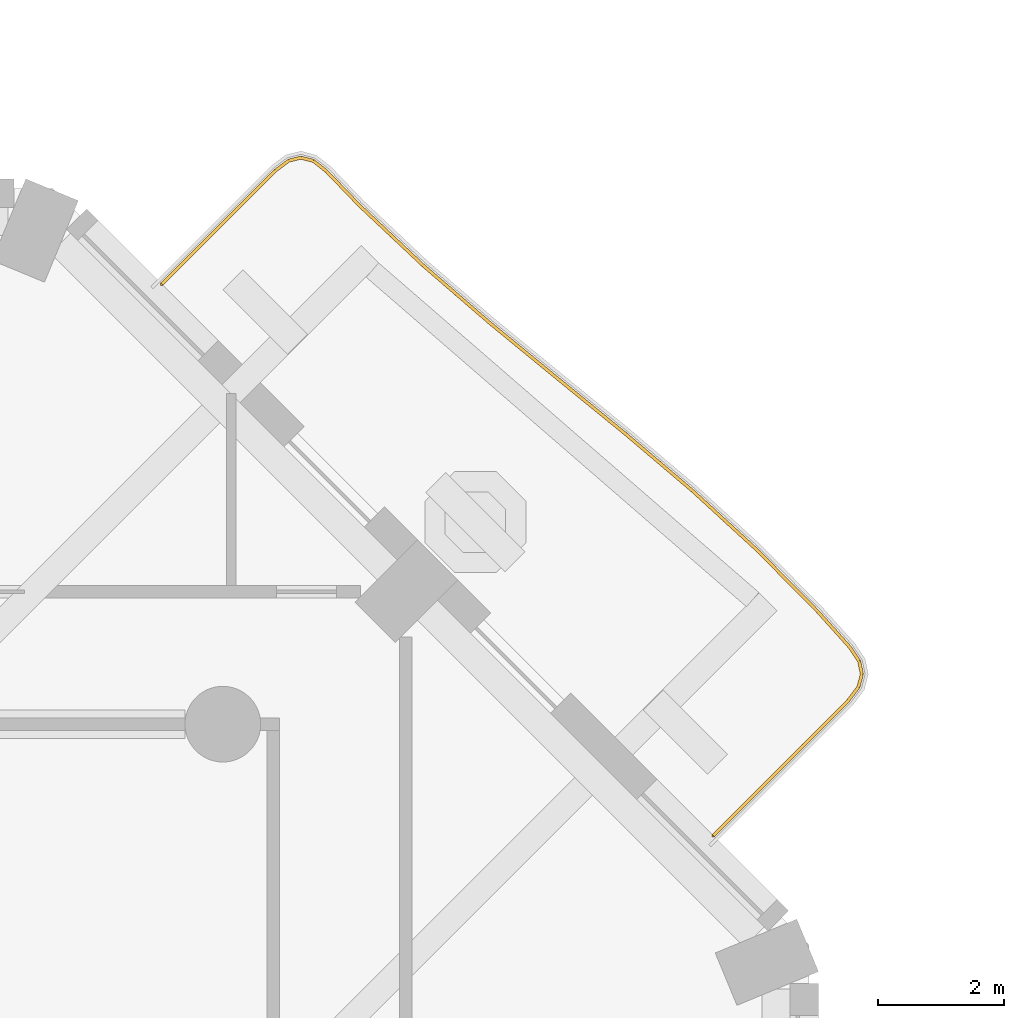
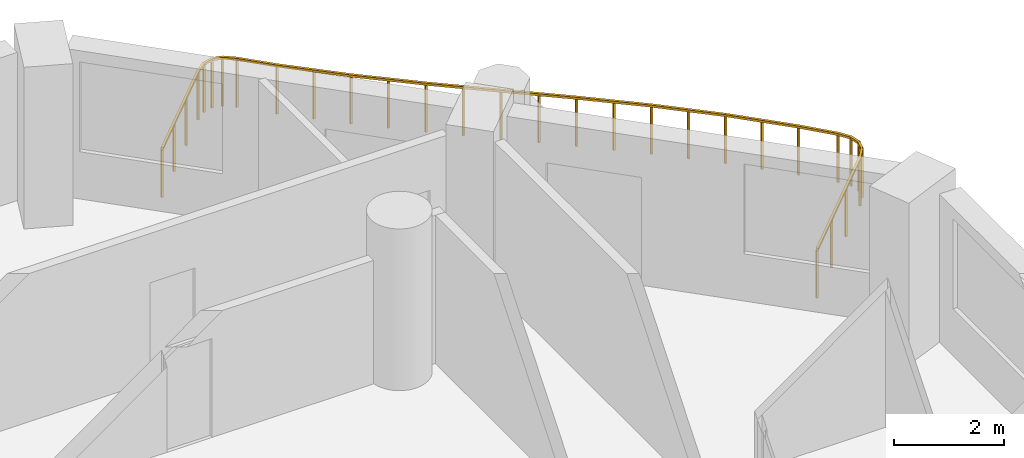
# One storey, part 19 of 20: 1 railing.
"""IFC4 building model written with IfcOpenShell, lengths in metres."""

from ifc_helpers import new_model, si_unit, direction, frame, origin, origin_2d, place, context, subcontext, project, spatial, rectangle, extrude, material, type_object, element, save


model = new_model("IFC4")

# Units and contexts
model_context = context("Model", 3, precision=1e-05, world=origin(), true_north=direction((0.0, 1.0)))
body_context = subcontext(model_context, "Body", "Model", "MODEL_VIEW")
ifc_project = project(units=[si_unit("LENGTHUNIT", "METRE"), si_unit("AREAUNIT", "SQUARE_METRE"), si_unit("VOLUMEUNIT", "CUBIC_METRE"), si_unit("PLANEANGLEUNIT", "RADIAN"), si_unit("MASSUNIT", "GRAM", prefix="KILO")], contexts=[model_context])

# Site, building, storey
site_placement = place(None, origin())
site = spatial("IfcSite", under=ifc_project, at=site_placement, CompositionType="ELEMENT")
building_placement = place(site_placement, origin())
building = spatial("IfcBuilding", under=site, at=building_placement, Name="Cypress Arch Tower", CompositionType="ELEMENT")
storey_placement = place(building_placement, frame((0.0, 0.0, 73.5)))
storey = spatial("IfcBuildingStorey", under=building, at=storey_placement, Name="L12", CompositionType="ELEMENT", Elevation=73.5)

# Railing
ifc_material = material(Name="Powder-coated steel posts and rods, 100 mm clear between rods", Category="steel")
railing_type = type_object("IfcRailingType", Name="Balcony guard GR1100", PredefinedType="GUARDRAIL", material=ifc_material)
railing_placement = place(storey_placement, frame((14.33251953125, 24.479736328125, 0.0)))
element("IfcRailing", 1, at=railing_placement, inside=storey, type_object=railing_type, Name="Balcony guard L12-A07", PredefinedType="GUARDRAIL", context=body_context, shape_type="SweptSolid", body=[
    extrude(rectangle(XDim=0.050048828125, YDim=0.050048828125, at=origin_2d()), frame((0.0, 0.0, 1.0751953125), z_axis=(0.707106781187, 0.707106781187, 0.0), x_axis=(-0.707106781187, 0.707106781187, 0.0)), (0.0, 0.0, 1.0), 2.549560546875),
    extrude(rectangle(XDim=0.050048828125, YDim=0.050048828125, at=origin_2d()), frame((1.802734375, 1.802734375, 1.0751953125), z_axis=(0.8, 0.6, 0.0), x_axis=(-0.6, 0.8, 0.0)), (0.0, 0.0, 1.0), 0.26123046875),
    extrude(rectangle(XDim=0.050048828125, YDim=0.050048828125, at=origin_2d()), frame((2.01171875, 1.95947265625, 1.0751953125), z_axis=(0.971337123919, 0.237706103617, 0.0), x_axis=(-0.237706103617, 0.971337123919, 0.0)), (0.0, 0.0, 1.0), 0.202392578125),
    extrude(rectangle(XDim=0.050048828125, YDim=0.050048828125, at=origin_2d()), frame((2.208251953125, 2.007568359375, 1.0751953125), z_axis=(0.9667928776, -0.25556120954, 0.0), x_axis=(0.25556120954, 0.9667928776, 0.0)), (0.0, 0.0, 1.0), 0.20263671875),
    extrude(rectangle(XDim=0.050048828125, YDim=0.050048828125, at=origin_2d()), frame((2.404052734375, 1.955810546875, 1.0751953125), z_axis=(0.788293658491, -0.615299202001, 0.0), x_axis=(0.615299202001, 0.788293658491, 0.0)), (0.0, 0.0, 1.0), 0.260986328125),
    extrude(rectangle(XDim=0.050048828125, YDim=0.050048828125, at=origin_2d()), frame((2.60986328125, 1.795166015625, 1.0751953125), z_axis=(0.693647861143, -0.720314268033, 0.0), x_axis=(0.720314268033, 0.693647861143, 0.0)), (0.0, 0.0, 1.0), 0.760009765625),
    extrude(rectangle(XDim=0.050048828125, YDim=0.050048828125, at=origin_2d()), frame((3.136962890625, 1.247802734375, 1.0751953125), z_axis=(0.728401261315, -0.685150788159, 0.0), x_axis=(0.685150788159, 0.728401261315, 0.0)), (0.0, 0.0, 1.0), 1.388671875),
    extrude(rectangle(XDim=0.050048828125, YDim=0.050048828125, at=origin_2d()), frame((4.1484375, 0.29638671875, 1.0751953125), z_axis=(0.756823007769, -0.653619870346, 0.0), x_axis=(0.653619870346, 0.756823007769, 0.0)), (0.0, 0.0, 1.0), 1.39111328125),
    extrude(rectangle(XDim=0.050048828125, YDim=0.050048828125, at=origin_2d()), frame((5.201171875, -0.61279296875, 1.0751953125), z_axis=(0.773254041021, -0.634096355489, 0.0), x_axis=(0.634096355489, 0.773254041021, 0.0)), (0.0, 0.0, 1.0), 1.39306640625),
    extrude(rectangle(XDim=0.050048828125, YDim=0.050048828125, at=origin_2d()), frame((6.2783203125, -1.49609375, 1.0751953125), z_axis=(0.775174560057, -0.631747102439, 0.0), x_axis=(0.631747102439, 0.775174560057, 0.0)), (0.0, 0.0, 1.0), 1.392333984375),
    extrude(rectangle(XDim=0.050048828125, YDim=0.050048828125, at=origin_2d()), frame((7.357666015625, -2.375732421875, 1.0751953125), z_axis=(0.762411891851, -0.647092039175, 0.0), x_axis=(0.647092039175, 0.762411891851, 0.0)), (0.0, 0.0, 1.0), 1.388916015625),
    extrude(rectangle(XDim=0.050048828125, YDim=0.050048828125, at=origin_2d()), frame((8.41650390625, -3.2744140625, 1.0751953125), z_axis=(0.736612340327, -0.676315207634, 0.0), x_axis=(0.676315207634, 0.736612340327, 0.0)), (0.0, 0.0, 1.0), 1.384765625),
    extrude(rectangle(XDim=0.050048828125, YDim=0.050048828125, at=origin_2d()), frame((9.4365234375, -4.2109375, 1.0751953125), z_axis=(0.70268029999, -0.711505724507, 0.0), x_axis=(0.711505724507, 0.70268029999, 0.0)), (0.0, 0.0, 1.0), 1.383056640625),
    extrude(rectangle(XDim=0.050048828125, YDim=0.050048828125, at=origin_2d()), frame((10.408447265625, -5.195068359375, 1.0751953125), z_axis=(0.668110829358, -0.744061771424, 0.0), x_axis=(0.744061771424, 0.668110829358, 0.0)), (0.0, 0.0, 1.0), 0.758544921875),
    extrude(rectangle(XDim=0.050048828125, YDim=0.050048828125, at=origin_2d()), frame((10.915283203125, -5.759521484375, 1.0751953125), z_axis=(0.557252483041, -0.83034310387, 0.0), x_axis=(0.83034310387, 0.557252483041, 0.0)), (0.0, 0.0, 1.0), 0.2646484375),
    extrude(rectangle(XDim=0.050048828125, YDim=0.050048828125, at=origin_2d()), frame((11.062744140625, -5.979248046875, 1.0751953125), z_axis=(0.204554165988, -0.978855246284, 0.0), x_axis=(0.978855246284, 0.204554165988, 0.0)), (0.0, 0.0, 1.0), 0.211181640625),
    extrude(rectangle(XDim=0.050048828125, YDim=0.050048828125, at=origin_2d()), frame((11.10595703125, -6.18603515625, 1.0751953125), z_axis=(-0.256655116879, -0.966503052752, 0.0), x_axis=(0.966503052752, -0.256655116879, 0.0)), (0.0, 0.0, 1.0), 0.211181640625),
    extrude(rectangle(XDim=0.050048828125, YDim=0.050048828125, at=origin_2d()), frame((11.0517578125, -6.39013671875, 1.0751953125), z_axis=(-0.601031947855, -0.799224998144, 0.0), x_axis=(0.799224998144, -0.601031947855, 0.0)), (0.0, 0.0, 1.0), 0.264892578125),
    extrude(rectangle(XDim=0.050048828125, YDim=0.050048828125, at=origin_2d()), frame((10.892578125, -6.601806640625, 1.0751953125), z_axis=(-0.70706654637, -0.707147013714, 0.0), x_axis=(0.707147013714, -0.70706654637, 0.0)), (0.0, 0.0, 1.0), 3.033935546875),
    extrude(rectangle(XDim=0.0400390625, YDim=0.0400390625, at=origin_2d()), origin(), (0.0, 0.0, 1.0), 1.050048828125),
    extrude(rectangle(XDim=0.0400390625, YDim=0.0400390625, at=origin_2d()), frame((0.600830078125, 0.600830078125, 0.0)), (0.0, 0.0, 1.0), 1.050048828125),
    extrude(rectangle(XDim=0.0400390625, YDim=0.0400390625, at=origin_2d()), frame((1.201904296875, 1.201904296875, 0.0)), (0.0, 0.0, 1.0), 1.050048828125),
    extrude(rectangle(XDim=0.0400390625, YDim=0.0400390625, at=origin_2d()), frame((1.802734375, 1.802734375, 0.0)), (0.0, 0.0, 1.0), 1.050048828125),
    extrude(rectangle(XDim=0.0400390625, YDim=0.0400390625, at=origin_2d()), frame((2.01171875, 1.95947265625, 0.0)), (0.0, 0.0, 1.0), 1.050048828125),
    extrude(rectangle(XDim=0.0400390625, YDim=0.0400390625, at=origin_2d()), frame((2.208251953125, 2.007568359375, 0.0)), (0.0, 0.0, 1.0), 1.050048828125),
    extrude(rectangle(XDim=0.0400390625, YDim=0.0400390625, at=origin_2d()), frame((2.404052734375, 1.955810546875, 0.0)), (0.0, 0.0, 1.0), 1.050048828125),
    extrude(rectangle(XDim=0.0400390625, YDim=0.0400390625, at=origin_2d()), frame((2.60986328125, 1.795166015625, 0.0)), (0.0, 0.0, 1.0), 1.050048828125),
    extrude(rectangle(XDim=0.0400390625, YDim=0.0400390625, at=origin_2d()), frame((3.136962890625, 1.247802734375, 0.0)), (0.0, 0.0, 1.0), 1.050048828125),
    extrude(rectangle(XDim=0.0400390625, YDim=0.0400390625, at=origin_2d()), frame((3.642578125, 0.77197265625, 0.0)), (0.0, 0.0, 1.0), 1.050048828125),
    extrude(rectangle(XDim=0.0400390625, YDim=0.0400390625, at=origin_2d()), frame((4.1484375, 0.29638671875, 0.0)), (0.0, 0.0, 1.0), 1.050048828125),
    extrude(rectangle(XDim=0.0400390625, YDim=0.0400390625, at=origin_2d()), frame((4.6748046875, -0.158203125, 0.0)), (0.0, 0.0, 1.0), 1.050048828125),
    extrude(rectangle(XDim=0.0400390625, YDim=0.0400390625, at=origin_2d()), frame((5.201171875, -0.61279296875, 0.0)), (0.0, 0.0, 1.0), 1.050048828125),
    extrude(rectangle(XDim=0.0400390625, YDim=0.0400390625, at=origin_2d()), frame((5.73974609375, -1.054443359375, 0.0)), (0.0, 0.0, 1.0), 1.050048828125),
    extrude(rectangle(XDim=0.0400390625, YDim=0.0400390625, at=origin_2d()), frame((6.2783203125, -1.49609375, 0.0)), (0.0, 0.0, 1.0), 1.050048828125),
    extrude(rectangle(XDim=0.0400390625, YDim=0.0400390625, at=origin_2d()), frame((6.81787109375, -1.93603515625, 0.0)), (0.0, 0.0, 1.0), 1.050048828125),
    extrude(rectangle(XDim=0.0400390625, YDim=0.0400390625, at=origin_2d()), frame((7.357666015625, -2.375732421875, 0.0)), (0.0, 0.0, 1.0), 1.050048828125),
    extrude(rectangle(XDim=0.0400390625, YDim=0.0400390625, at=origin_2d()), frame((7.88720703125, -2.8251953125, 0.0)), (0.0, 0.0, 1.0), 1.050048828125),
    extrude(rectangle(XDim=0.0400390625, YDim=0.0400390625, at=origin_2d()), frame((8.41650390625, -3.2744140625, 0.0)), (0.0, 0.0, 1.0), 1.050048828125),
    extrude(rectangle(XDim=0.0400390625, YDim=0.0400390625, at=origin_2d()), frame((8.926513671875, -3.74267578125, 0.0)), (0.0, 0.0, 1.0), 1.050048828125),
    extrude(rectangle(XDim=0.0400390625, YDim=0.0400390625, at=origin_2d()), frame((9.4365234375, -4.2109375, 0.0)), (0.0, 0.0, 1.0), 1.050048828125),
    extrude(rectangle(XDim=0.0400390625, YDim=0.0400390625, at=origin_2d()), frame((9.92236328125, -4.703125, 0.0)), (0.0, 0.0, 1.0), 1.050048828125),
    extrude(rectangle(XDim=0.0400390625, YDim=0.0400390625, at=origin_2d()), frame((10.408447265625, -5.195068359375, 0.0)), (0.0, 0.0, 1.0), 1.050048828125),
    extrude(rectangle(XDim=0.0400390625, YDim=0.0400390625, at=origin_2d()), frame((10.915283203125, -5.759521484375, 0.0)), (0.0, 0.0, 1.0), 1.050048828125),
    extrude(rectangle(XDim=0.0400390625, YDim=0.0400390625, at=origin_2d()), frame((11.062744140625, -5.979248046875, 0.0)), (0.0, 0.0, 1.0), 1.050048828125),
    extrude(rectangle(XDim=0.0400390625, YDim=0.0400390625, at=origin_2d()), frame((11.10595703125, -6.18603515625, 0.0)), (0.0, 0.0, 1.0), 1.050048828125),
    extrude(rectangle(XDim=0.0400390625, YDim=0.0400390625, at=origin_2d()), frame((11.0517578125, -6.39013671875, 0.0)), (0.0, 0.0, 1.0), 1.050048828125),
    extrude(rectangle(XDim=0.0400390625, YDim=0.0400390625, at=origin_2d()), frame((10.892578125, -6.601806640625, 0.0)), (0.0, 0.0, 1.0), 1.050048828125),
    extrude(rectangle(XDim=0.0400390625, YDim=0.0400390625, at=origin_2d()), frame((10.177490234375, -7.31689453125, 0.0)), (0.0, 0.0, 1.0), 1.050048828125),
    extrude(rectangle(XDim=0.0400390625, YDim=0.0400390625, at=origin_2d()), frame((9.46240234375, -8.0322265625, 0.0)), (0.0, 0.0, 1.0), 1.050048828125),
    extrude(rectangle(XDim=0.0400390625, YDim=0.0400390625, at=origin_2d()), frame((8.747314453125, -8.747314453125, 0.0)), (0.0, 0.0, 1.0), 1.050048828125),
])

save(model, "model.ifc")
